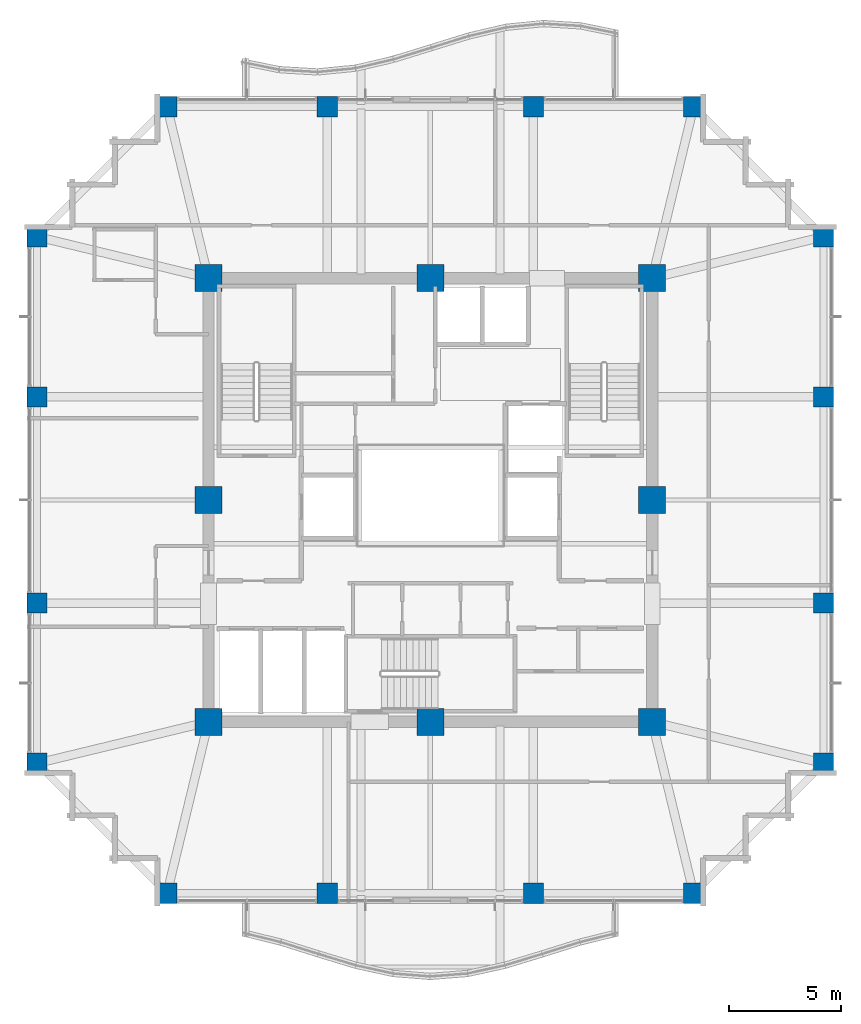
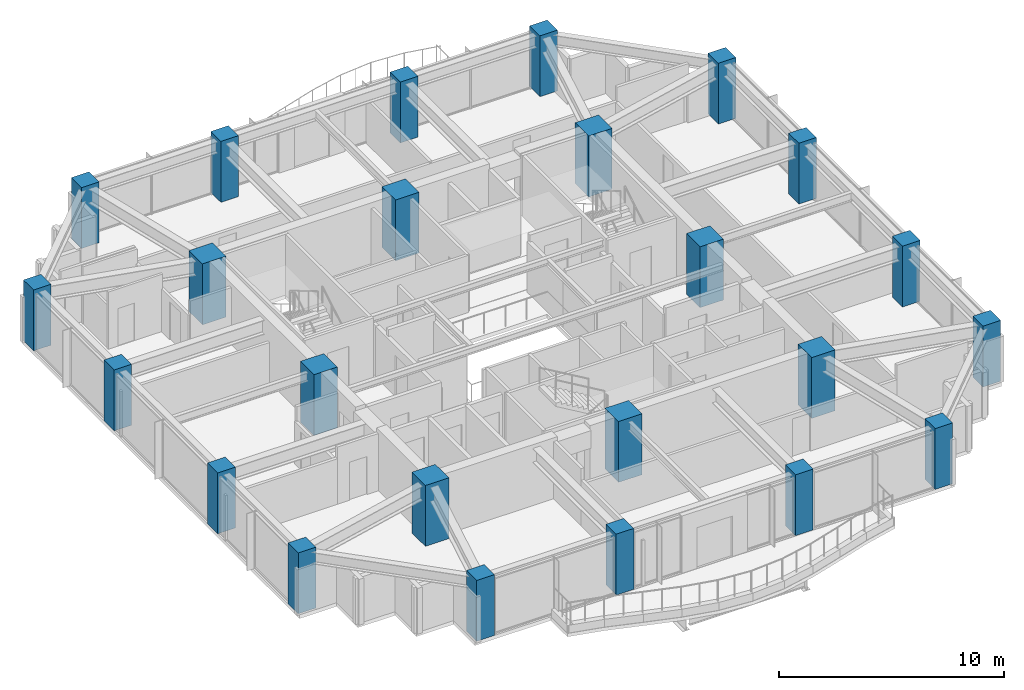
# One storey, part 1 of 31: 24 columns.
"""IFC4 building model written with IfcOpenShell, lengths in metres."""

from ifc_helpers import new_model, si_unit, direction, frame, origin, origin_2d, place, context, subcontext, project, spatial, rectangle, extrude, material, material_profile, profile_set, type_object, element, save


model = new_model("IFC4")

# Units and contexts
model_context = context("Model", 3, precision=1e-05, world=origin(), true_north=direction((0.0, 1.0)))
body_context = subcontext(model_context, "Body", "Model", "MODEL_VIEW")
ifc_project = project(units=[si_unit("LENGTHUNIT", "METRE"), si_unit("AREAUNIT", "SQUARE_METRE"), si_unit("VOLUMEUNIT", "CUBIC_METRE"), si_unit("PLANEANGLEUNIT", "RADIAN"), si_unit("MASSUNIT", "GRAM", prefix="KILO")], contexts=[model_context])

# Site, building, storey
site_placement = place(None, origin())
site = spatial("IfcSite", under=ifc_project, at=site_placement, CompositionType="ELEMENT")
building_placement = place(site_placement, origin())
building = spatial("IfcBuilding", under=site, at=building_placement, Name="Kolvaren Belvedere", CompositionType="ELEMENT")
storey_placement = place(building_placement, frame((0.0, 0.0, 131.60009765625)))
storey = spatial("IfcBuildingStorey", under=building, at=storey_placement, Name="L38", CompositionType="ELEMENT", Elevation=131.60009765625)

# Columns
ifc_material_1 = material(Name="Concrete C60/75", Category="concrete")
ifc_material_profile_1 = material_profile(ifc_material_1, rectangle(XDim=1.199951171875, YDim=1.199951171875, at=origin_2d()), Name="RC 1200X1200")
ifc_profile_set_1 = profile_set([ifc_material_profile_1], Name="Concrete C60/75")
column_type_1 = type_object("IfcColumnType", Name="COL-RC-1200", PredefinedType="COLUMN", material=ifc_profile_set_1)
for number, where, z_axis, x_axis, name in (
    (1, (-9.89990234375, -9.89990234375, 0.0), (0.0, 0.0, 1.0), (1.0, 0.0, 0.0), "L38 Core Column CC1"),
    (2, (9.89990234375, -9.89990234375, 0.0), (0.0, 0.0, 1.0), (1.0, 0.0, 0.0), "L38 Core Column CC2"),
    (3, (9.89990234375, 9.89990234375, 0.0), (0.0, 0.0, 1.0), (1.0, 0.0, 0.0), "L38 Core Column CC3"),
    (4, (-9.89990234375, 9.89990234375, 0.0), (0.0, 0.0, 1.0), (1.0, 0.0, 0.0), "L38 Core Column CC4"),
    (5, (0.0, -9.89990234375, 0.0), (0.0, 0.0, 1.0), (1.0, 0.0, 0.0), "L38 Core Column CM1"),
    (6, (9.89990234375, 0.0, 0.0), (0.0, 0.0, 1.0), (1.0, 0.0, 0.0), "L38 Core Column CM2"),
    (7, (0.0, 9.89990234375, 0.0), (0.0, 0.0, 1.0), (1.0, 0.0, 0.0), "L38 Core Column CM3"),
    (8, (-9.89990234375, 0.0, 0.0), (0.0, 0.0, 1.0), (1.0, 0.0, 0.0), "L38 Core Column CM4"),
):
    element("IfcColumn", number, at=place(storey_placement, frame(where, z_axis=z_axis, x_axis=x_axis)), inside=storey, type_object=column_type_1, Name=name, PredefinedType="COLUMN", context=body_context, shape_type="SweptSolid", body=[
        extrude(rectangle(XDim=1.199951171875, YDim=1.199951171875, at=origin_2d()), origin(), (0.0, 0.0, 1.0), 3.2998046875),
    ])
ifc_material_2 = material(Name="Concrete C50/60", Category="concrete")
ifc_material_profile_2 = material_profile(ifc_material_2, rectangle(XDim=0.89990234375, YDim=0.89990234375, at=origin_2d()), Name="RC 900X900")
ifc_profile_set_2 = profile_set([ifc_material_profile_2], Name="Concrete C50/60")
column_type_2 = type_object("IfcColumnType", Name="COL-RC-900", PredefinedType="COLUMN", material=ifc_profile_set_2)
for number, where, z_axis, x_axis, name in (
    (9, (-11.75, -17.550048828125, 0.0), (0.0, 0.0, 1.0), (1.0, 0.0, 0.0), "L38 Perimeter Column S1"),
    (10, (-4.60009765625, -17.550048828125, 0.0), (0.0, 0.0, 1.0), (1.0, 0.0, 0.0), "L38 Perimeter Column S2"),
    (11, (4.60009765625, -17.550048828125, 0.0), (0.0, 0.0, 1.0), (1.0, 0.0, 0.0), "L38 Perimeter Column S3"),
    (12, (11.75, -17.550048828125, 0.0), (0.0, 0.0, 1.0), (1.0, 0.0, 0.0), "L38 Perimeter Column S4"),
    (13, (-11.75, 17.550048828125, 0.0), (0.0, 0.0, 1.0), (1.0, 0.0, 0.0), "L38 Perimeter Column N1"),
    (14, (-4.60009765625, 17.550048828125, 0.0), (0.0, 0.0, 1.0), (1.0, 0.0, 0.0), "L38 Perimeter Column N2"),
    (15, (4.60009765625, 17.550048828125, 0.0), (0.0, 0.0, 1.0), (1.0, 0.0, 0.0), "L38 Perimeter Column N3"),
    (16, (11.75, 17.550048828125, 0.0), (0.0, 0.0, 1.0), (1.0, 0.0, 0.0), "L38 Perimeter Column N4"),
    (17, (-17.550048828125, -11.75, 0.0), (0.0, 0.0, 1.0), (1.0, 0.0, 0.0), "L38 Perimeter Column W1"),
    (18, (-17.550048828125, -4.60009765625, 0.0), (0.0, 0.0, 1.0), (1.0, 0.0, 0.0), "L38 Perimeter Column W2"),
    (19, (-17.550048828125, 4.60009765625, 0.0), (0.0, 0.0, 1.0), (1.0, 0.0, 0.0), "L38 Perimeter Column W3"),
    (20, (-17.550048828125, 11.75, 0.0), (0.0, 0.0, 1.0), (1.0, 0.0, 0.0), "L38 Perimeter Column W4"),
    (21, (17.550048828125, -11.75, 0.0), (0.0, 0.0, 1.0), (1.0, 0.0, 0.0), "L38 Perimeter Column E1"),
    (22, (17.550048828125, -4.60009765625, 0.0), (0.0, 0.0, 1.0), (1.0, 0.0, 0.0), "L38 Perimeter Column E2"),
    (23, (17.550048828125, 4.60009765625, 0.0), (0.0, 0.0, 1.0), (1.0, 0.0, 0.0), "L38 Perimeter Column E3"),
    (24, (17.550048828125, 11.75, 0.0), (0.0, 0.0, 1.0), (1.0, 0.0, 0.0), "L38 Perimeter Column E4"),
):
    element("IfcColumn", number, at=place(storey_placement, frame(where, z_axis=z_axis, x_axis=x_axis)), inside=storey, type_object=column_type_2, Name=name, PredefinedType="COLUMN", context=body_context, shape_type="SweptSolid", body=[
        extrude(rectangle(XDim=0.89990234375, YDim=0.89990234375, at=origin_2d()), origin(), (0.0, 0.0, 1.0), 3.2998046875),
    ])

save(model, "model.ifc")
